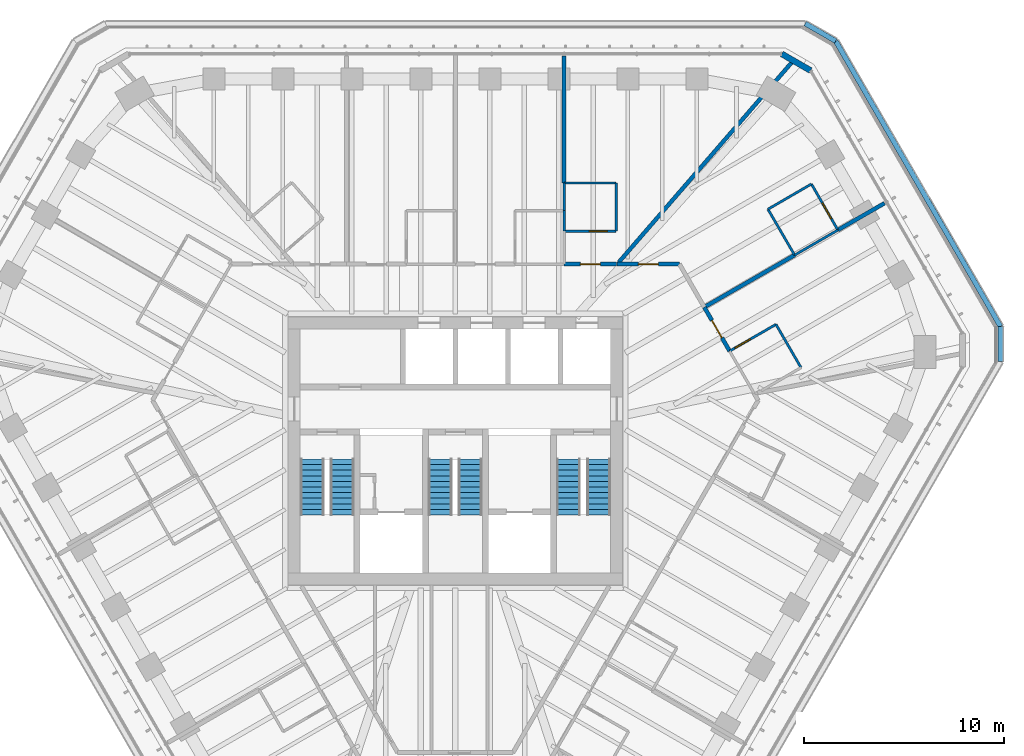
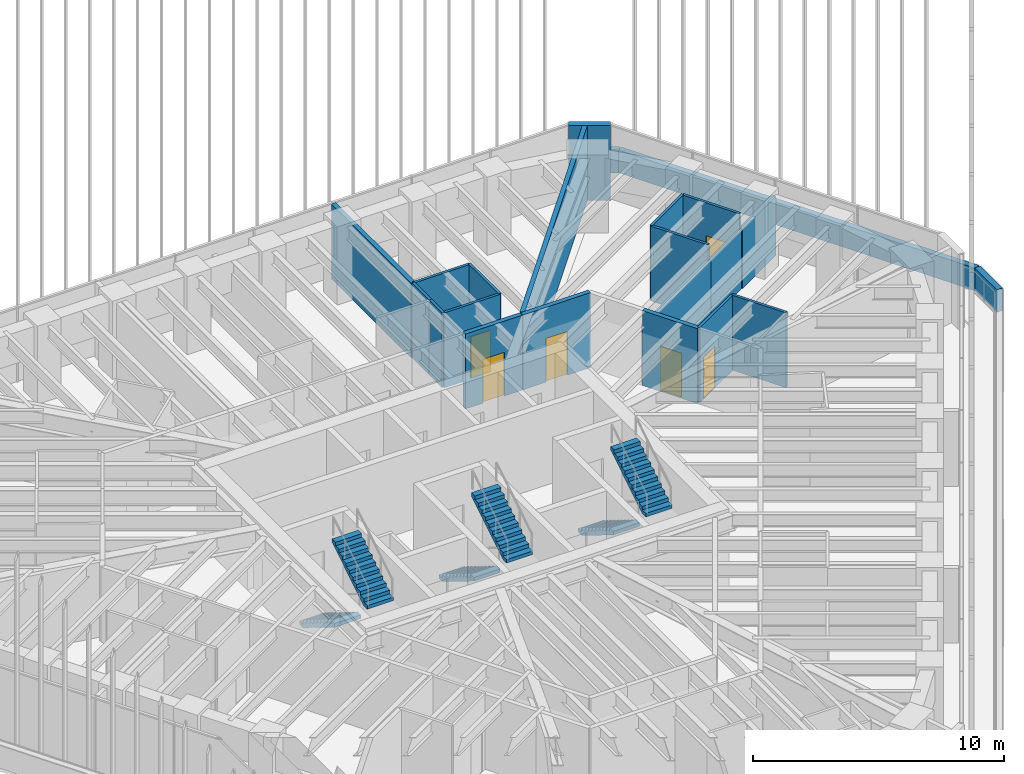
# One storey, part 124 of 127: 22 walls, 6 doors, 6 stair flights, 6 openings, 3 elements without a shape of their own.
"""IFC4 building model written with IfcOpenShell, lengths in metres."""

import ifcopenshell
import ifcopenshell.guid

model = None  # the IFC model being written
_history = None  # IfcOwnerHistory: only IFC2X3 demands one
_inside = {}  # id of a spatial element -> (the spatial element, [elements in it])
_under = {}  # id of a project, library or spatial element -> (it, [spatial elements below it])
_declared = {}  # id of a project -> (the project, [libraries it declares])
_typed = {}  # id of a type object -> (the type object, [elements of that type])
_made_of = {}  # id of a material, layer set ... -> (it, [elements and type objects made of it])


def new_model(schema):
    """Start an empty IFC model of exactly this schema.

    Asked for "IFC4X3", IfcOpenShell would pick the latest addendum, in which some entities
    have other attributes; the version numbers below select the first issue.
    IFC2X3 requires an IfcOwnerHistory on every rooted entity: one is made here for all.
    """
    global model, _history
    if schema == "IFC4X3":
        model = ifcopenshell.file(schema_version=(4, 3, 0, 0))
    else:
        model = ifcopenshell.file(schema=schema)
    _inside.clear()
    _under.clear()
    _declared.clear()
    _typed.clear()
    _made_of.clear()
    _history = None
    if model.schema == "IFC2X3":
        org = make("IfcOrganization", Name="unknown")
        user = make(
            "IfcPersonAndOrganization",
            ThePerson=make("IfcPerson", FamilyName="unknown"),
            TheOrganization=org,
        )
        app = make(
            "IfcApplication",
            ApplicationDeveloper=org,
            Version="unknown",
            ApplicationFullName="unknown",
            ApplicationIdentifier="unknown",
        )
        _history = make(
            "IfcOwnerHistory",
            OwningUser=user,
            OwningApplication=app,
            ChangeAction="ADDED",
            CreationDate=0,
        )
    return model


def make(cls, **values):
    """One entity of the class cls with the attributes given. An attribute that is None is left unset."""
    return model.create_entity(
        cls, **{name: value for name, value in values.items() if value is not None}
    )


def rooted(cls, **values):
    """An entity with a GlobalId (a new one), such as an element, a storey or a relation."""
    return make(cls, GlobalId=ifcopenshell.guid.new(), OwnerHistory=_history, **values)


def si_unit(unit_type, name, prefix=None):
    """IfcSIUnit, for example si_unit("LENGTHUNIT", "METRE", prefix="MILLI")."""
    return make("IfcSIUnit", UnitType=unit_type, Prefix=prefix, Name=name)


def assignment(units):
    """IfcUnitAssignment: the units of a project."""
    return None if units is None else make("IfcUnitAssignment", Units=units)


def point(xyz):
    """IfcCartesianPoint."""
    return None if xyz is None else make("IfcCartesianPoint", Coordinates=xyz)


def direction(xyz):
    """IfcDirection."""
    return None if xyz is None else make("IfcDirection", DirectionRatios=xyz)


def frame(location, z_axis=None, x_axis=None):
    """IfcAxis2Placement3D, a coordinate frame: its origin and axes. An axis left out is left unset."""
    return make(
        "IfcAxis2Placement3D",
        Location=point(location),
        Axis=direction(z_axis),
        RefDirection=direction(x_axis),
    )


def frame_2d(location, x_axis=None):
    """IfcAxis2Placement2D, a coordinate frame in the plane: its origin and x axis."""
    return make(
        "IfcAxis2Placement2D", Location=point(location), RefDirection=direction(x_axis)
    )


def origin():
    """The frame at (0, 0, 0) with its axes left unset."""
    return frame((0.0, 0.0, 0.0))


def place(relative_to, where):
    """IfcLocalPlacement: puts the frame where relative to a parent placement (None: the world)."""
    return make(
        "IfcLocalPlacement", PlacementRelTo=relative_to, RelativePlacement=where
    )


def context(
    kind, dimensions, precision=None, world=None, true_north=None, identifier=None
):
    """IfcGeometricRepresentationContext, for example the 3D "Model" context."""
    return make(
        "IfcGeometricRepresentationContext",
        ContextIdentifier=identifier,
        ContextType=kind,
        CoordinateSpaceDimension=dimensions,
        Precision=precision,
        WorldCoordinateSystem=world,
        TrueNorth=true_north,
    )


def subcontext(parent, identifier, kind, view, scale=None):
    """IfcGeometricRepresentationSubContext, for example "Body" below "Model"."""
    return make(
        "IfcGeometricRepresentationSubContext",
        ContextIdentifier=identifier,
        ContextType=kind,
        ParentContext=parent,
        TargetScale=scale,
        TargetView=view,
    )


def project(units=None, contexts=None):
    """IfcProject with its units and contexts."""
    return rooted(
        "IfcProject",
        Name="project",
        RepresentationContexts=contexts,
        UnitsInContext=assignment(units),
    )


def spatial(cls, under=None, at=None, **own):
    """A site, building, storey or space (cls), placed at a placement, below another one or the project."""
    s = rooted(cls, ObjectPlacement=at, **own)
    if under is not None:
        _under.setdefault(under.id(), (under, []))[1].append(s)
    return s


def polyline(points):
    """IfcPolyline through the points."""
    return make("IfcPolyline", Points=[point(p) for p in points])


def profile(cls, at=None, kind="AREA", **sizes):
    """A parametric profile (cls). Its sizes go by their IFC names, for example OverallWidth=200.0."""
    return make(cls, ProfileType=kind, Position=at, **sizes)


def rectangle(**sizes):
    """IfcRectangleProfileDef."""
    return profile("IfcRectangleProfileDef", **sizes)


def outline(outer, holes=None, kind="AREA"):
    """IfcArbitraryClosedProfileDef: a profile drawn as a closed curve; with holes, ...WithVoids."""
    if holes is None:
        return make("IfcArbitraryClosedProfileDef", ProfileType=kind, OuterCurve=outer)
    return make(
        "IfcArbitraryProfileDefWithVoids",
        ProfileType=kind,
        OuterCurve=outer,
        InnerCurves=holes,
    )


def extrude(swept, where, along, depth):
    """IfcExtrudedAreaSolid: the profile swept, set in the frame where, extruded along a direction by depth."""
    return make(
        "IfcExtrudedAreaSolid",
        SweptArea=swept,
        Position=where,
        ExtrudedDirection=direction(along),
        Depth=depth,
    )


def shape(context_of_items, identifier, shape_type, items):
    """IfcShapeRepresentation: the items that make up one representation, for example the "Body"."""
    return make(
        "IfcShapeRepresentation",
        ContextOfItems=context_of_items,
        RepresentationIdentifier=identifier,
        RepresentationType=shape_type,
        Items=items,
    )


def material(Name=None, Category=None):
    """IfcMaterial."""
    return make("IfcMaterial", Name=Name, Category=Category)


def layer(
    of_material, thickness, ventilated=None, Name=None, Category=None, Priority=None
):
    """IfcMaterialLayer: one layer of a wall or slab, of a material (None: an air gap)."""
    return make(
        "IfcMaterialLayer",
        Material=of_material,
        LayerThickness=thickness,
        IsVentilated=ventilated,
        Name=Name,
        Category=Category,
        Priority=Priority,
    )


def layer_set(layers, Name=None):
    """IfcMaterialLayerSet."""
    return make("IfcMaterialLayerSet", MaterialLayers=layers, LayerSetName=Name)


def made_of(thing, what):
    """Note that an element or type object is made of a material, layer set ...; save() writes the relation."""
    if what is not None:
        _made_of.setdefault(what.id(), (what, []))[1].append(thing)
    return thing


def type_object(cls, material=None, **own):
    """A type object (cls), such as IfcWallType, which elements share."""
    return made_of(rooted(cls, **own), material)


def element(
    cls,
    number,
    at=None,
    inside=None,
    cuts=None,
    type_object=None,
    material=None,
    context=None,
    identifier="Body",
    shape_type=None,
    held_by="IfcProductDefinitionShape",
    body=None,
    shapes=None,
    **own,
):
    """One element of the class cls, such as IfcWall. Its Tag is "e" and its number.

    at: its placement. inside: the storey or other place that contains it. cuts: it is an
    opening in that element (IfcRelVoidsElement). A single representation is given by context,
    identifier, shape_type and body (its items); several are given by shapes. held_by: the class
    of the entity that holds the representations. save() writes the other relations.
    """
    e = rooted(cls, Tag="e%d" % number, ObjectPlacement=at, **own)
    if body is not None:
        shapes = [shape(context, identifier, shape_type, body)]
    if shapes is not None:
        e.Representation = make(held_by, Representations=shapes)
    if inside is not None:
        _inside.setdefault(inside.id(), (inside, []))[1].append(e)
    if cuts is not None:
        rooted(
            "IfcRelVoidsElement", RelatingBuildingElement=cuts, RelatedOpeningElement=e
        )
    if type_object is not None:
        _typed.setdefault(type_object.id(), (type_object, []))[1].append(e)
    return made_of(e, material)


def fill(opening, filler):
    """IfcRelFillsElement: the door or window that sits in an opening."""
    return rooted(
        "IfcRelFillsElement",
        RelatingOpeningElement=opening,
        RelatedBuildingElement=filler,
    )


def aggregate(whole, parts):
    """IfcRelAggregates: a whole, such as a stair, and the parts it consists of."""
    return rooted("IfcRelAggregates", RelatingObject=whole, RelatedObjects=parts)


def save(model, path):
    """Write the relations noted so far, then the file.

    IfcRelAggregates (storeys below a building ...), IfcRelContainedInSpatialStructure (elements
    in a storey), IfcRelDefinesByType, IfcRelAssociatesMaterial and IfcRelDeclares: one each for
    every whole, place, type object, material and project.
    """
    for whole, parts in _under.values():
        aggregate(whole, parts)
    for where, things in _inside.values():
        rooted(
            "IfcRelContainedInSpatialStructure",
            RelatedElements=things,
            RelatingStructure=where,
        )
    for kind, things in _typed.values():
        rooted("IfcRelDefinesByType", RelatedObjects=things, RelatingType=kind)
    for what, things in _made_of.values():
        rooted("IfcRelAssociatesMaterial", RelatedObjects=things, RelatingMaterial=what)
    for by, libraries in _declared.values():
        rooted("IfcRelDeclares", RelatingContext=by, RelatedDefinitions=libraries)
    model.write(path)


model = new_model("IFC4")

# Units and contexts
model_context = context("Model", 3, precision=1e-05, world=origin(), true_north=direction((0.0, 1.0)))
body_context = subcontext(model_context, "Body", "Model", "MODEL_VIEW")
ifc_project = project(units=[si_unit("LENGTHUNIT", "METRE"), si_unit("AREAUNIT", "SQUARE_METRE"), si_unit("VOLUMEUNIT", "CUBIC_METRE"), si_unit("PLANEANGLEUNIT", "RADIAN"), si_unit("MASSUNIT", "GRAM", prefix="KILO")], contexts=[model_context])

# Site, building, storey
site_placement = place(None, origin())
site = spatial("IfcSite", under=ifc_project, at=site_placement, CompositionType="ELEMENT")
building_placement = place(site_placement, origin())
building = spatial("IfcBuilding", under=site, at=building_placement, Name="Sandreach Pilgrim Tower", CompositionType="ELEMENT")
storey_placement = place(building_placement, frame((0.0, 0.0, 257.0)))
storey = spatial("IfcBuildingStorey", under=building, at=storey_placement, Name="L64", CompositionType="ELEMENT", Elevation=257.0)

# Wall, opening, door
ifc_material_1 = material(Name="Moisture-resistant gypsum board on steel studs", Category="steel")
ifc_layer_1 = layer(ifc_material_1, 0.1201171875)
ifc_layer_set_1 = layer_set([ifc_layer_1], Name="Bathroom partition 120")
wall_type_1 = type_object("IfcWallType", Name="Bathroom partition 120", PredefinedType="PARTITIONING", material=ifc_layer_set_1)
wall_1_placement = place(storey_placement, frame((5.429931640625, 10.97998046875, 0.0), z_axis=(0.0, 0.0, 1.0), x_axis=(1.0, 0.0, 0.0)))
wall_1 = element("IfcWall", 1, at=wall_1_placement, inside=storey, type_object=wall_type_1, Name="Bathroom partition L64-075", PredefinedType="PARTITIONING", context=body_context, shape_type="SweptSolid", body=[
    extrude(rectangle(XDim=2.60009765625, YDim=0.1201171875, at=frame_2d((1.300048828125, 0.0))), origin(), (0.0, 0.0, 1.0), 3.639892578125),
])
opening_1_placement = place(wall_1_placement, frame((1.25, 0.0, 0.0)))
opening_1 = element("IfcOpeningElement", 2, at=opening_1_placement, cuts=wall_1, Name="Opening D09-04B", PredefinedType="OPENING", context=body_context, shape_type="SweptSolid", body=[
    extrude(rectangle(XDim=0.89990234375, YDim=2.030029296875, at=frame_2d((0.449951171875, 1.01513671875))), frame((0.0, 0.06005859375, 0.0), z_axis=(0.0, -1.0, 0.0), x_axis=(1.0, 0.0, 0.0)), (0.0, 0.0, 1.0), 0.1201171875),
])
ifc_material_2 = material(Name="Timber door, steel frame", Category="steel")
door_type_1 = type_object("IfcDoorType", Name="Bathroom door", OperationType="SINGLE_SWING_LEFT", PredefinedType="DOOR", material=ifc_material_2)
door_1_placement = place(opening_1_placement, origin())
door_1 = element("IfcDoor", 3, at=door_1_placement, inside=storey, type_object=door_type_1, Name="Door 6404B", OperationType="SINGLE_SWING_RIGHT", OverallHeight=2.030029296875, OverallWidth=0.89990234375, PredefinedType="DOOR", context=body_context, shape_type="SweptSolid", body=[
    extrude(rectangle(XDim=0.89990234375, YDim=2.030029296875, at=frame_2d((0.449951171875, 1.01513671875))), frame((0.0, 0.02490234375, 0.0), z_axis=(0.0, -1.0, 0.0), x_axis=(1.0, 0.0, 0.0)), (0.0, 0.0, 1.0), 0.050048828125),
])
fill(opening_1, door_1)

# Walls
wall_2_placement = place(storey_placement, frame((5.429931640625, 12.0, 0.0), z_axis=(0.0, 0.0, 1.0), x_axis=(0.0, -1.0, 0.0)))
element("IfcWall", 4, at=wall_2_placement, inside=storey, type_object=wall_type_1, Name="Bathroom partition L64-077", PredefinedType="PARTITIONING", context=body_context, shape_type="SweptSolid", body=[
    extrude(rectangle(XDim=1.02001953125, YDim=0.1201171875, at=frame_2d((0.510009765625, 0.0))), origin(), (0.0, 0.0, 1.0), 3.639892578125),
])
wall_3_placement = place(storey_placement, frame((5.429931640625, 13.3798828125, 0.0), z_axis=(0.0, 0.0, 1.0), x_axis=(0.0, -1.0, 0.0)))
element("IfcWall", 5, at=wall_3_placement, inside=storey, type_object=wall_type_1, Name="Bathroom partition L64-078", PredefinedType="PARTITIONING", context=body_context, shape_type="SweptSolid", body=[
    extrude(rectangle(XDim=1.3798828125, YDim=0.1201171875, at=frame_2d((0.68994140625, 0.0))), origin(), (0.0, 0.0, 1.0), 3.639892578125),
])
wall_4_placement = place(storey_placement, frame((8.030029296875, 10.97998046875, 0.0), z_axis=(0.0, 0.0, 1.0), x_axis=(0.0, 1.0, 0.0)))
element("IfcWall", 6, at=wall_4_placement, inside=storey, type_object=wall_type_1, Name="Bathroom partition L64-087", PredefinedType="PARTITIONING", context=body_context, shape_type="SweptSolid", body=[
    extrude(rectangle(XDim=2.39990234375, YDim=0.1201171875, at=frame_2d((1.199951171875, 0.0))), origin(), (0.0, 0.0, 1.0), 3.639892578125),
])
wall_5_placement = place(storey_placement, frame((8.030029296875, 13.3798828125, 0.0), z_axis=(0.0, 0.0, 1.0), x_axis=(-1.0, 0.0, 0.0)))
element("IfcWall", 7, at=wall_5_placement, inside=storey, type_object=wall_type_1, Name="Bathroom partition L64-088", PredefinedType="PARTITIONING", context=body_context, shape_type="SweptSolid", body=[
    extrude(rectangle(XDim=2.60009765625, YDim=0.1201171875, at=frame_2d((1.300048828125, 0.0))), origin(), (0.0, 0.0, 1.0), 3.639892578125),
])
wall_6_placement = place(storey_placement, frame((15.610107421875, 12.070068359375, 0.0), z_axis=(0.0, 0.0, 1.0), x_axis=(0.502173326652, -0.864766991738, 0.0)))
element("IfcWall", 8, at=wall_6_placement, inside=storey, type_object=wall_type_1, Name="Bathroom partition L64-110", PredefinedType="PARTITIONING", context=body_context, shape_type="SweptSolid", body=[
    extrude(rectangle(XDim=2.648193359375, YDim=0.1201171875, at=frame_2d((1.32421875, 0.0))), origin(), (0.0, 0.0, 1.0), 3.639892578125),
])

# Wall, opening, door
wall_7_placement = place(storey_placement, frame((16.010009765625, 6.320068359375, 0.0), z_axis=(0.0, 0.0, 1.0), x_axis=(-0.866615255992, -0.498976951453, 0.0)))
wall_7 = element("IfcWall", 9, at=wall_7_placement, inside=storey, type_object=wall_type_1, Name="Bathroom partition L64-111", PredefinedType="PARTITIONING", context=body_context, shape_type="SweptSolid", body=[
    extrude(rectangle(XDim=2.66552734375, YDim=0.1201171875, at=frame_2d((1.332763671875, 0.0))), origin(), (0.0, 0.0, 1.0), 3.639892578125),
])
opening_2_placement = place(wall_7_placement, frame((1.465576171875, 0.0, 0.0)))
opening_2 = element("IfcOpeningElement", 10, at=opening_2_placement, cuts=wall_7, Name="Opening D09-06B", PredefinedType="OPENING", context=body_context, shape_type="SweptSolid", body=[
    extrude(rectangle(XDim=0.89990234375, YDim=2.030029296875, at=frame_2d((0.449951171875, 1.01513671875))), frame((0.0, 0.06005859375, 0.0), z_axis=(0.0, -1.0, 0.0), x_axis=(1.0, 0.0, 0.0)), (0.0, 0.0, 1.0), 0.1201171875),
])
door_2_placement = place(opening_2_placement, origin())
door_2 = element("IfcDoor", 11, at=door_2_placement, inside=storey, type_object=door_type_1, Name="Door 6406B", OperationType="SINGLE_SWING_RIGHT", OverallHeight=2.030029296875, OverallWidth=0.89990234375, PredefinedType="DOOR", context=body_context, shape_type="SweptSolid", body=[
    extrude(rectangle(XDim=0.89990234375, YDim=2.030029296875, at=frame_2d((0.449951171875, 1.01513671875))), frame((0.0, 0.02490234375, 0.0), z_axis=(0.0, -1.0, 0.0), x_axis=(1.0, 0.0, 0.0)), (0.0, 0.0, 1.0), 0.050048828125),
])
fill(opening_2, door_2)

# Walls
wall_8_placement = place(storey_placement, frame((16.93994140625, 9.780029296875, 0.0), z_axis=(0.0, 0.0, 1.0), x_axis=(0.865533423938, 0.500851167559, 0.0)))
element("IfcWall", 12, at=wall_8_placement, inside=storey, type_object=wall_type_1, Name="Bathroom partition L64-114", PredefinedType="PARTITIONING", context=body_context, shape_type="SweptSolid", body=[
    extrude(rectangle(XDim=2.495849609375, YDim=0.1201171875, at=frame_2d((1.248046875, 0.0))), origin(), (0.0, 0.0, 1.0), 2.8779296875),
])
wall_9_placement = place(storey_placement, frame((17.260009765625, 4.159912109375, 0.0), z_axis=(0.0, 0.0, 1.0), x_axis=(-0.500851167559, 0.865533423938, 0.0)))
element("IfcWall", 13, at=wall_9_placement, inside=storey, type_object=wall_type_1, Name="Bathroom partition L64-115", PredefinedType="PARTITIONING", context=body_context, shape_type="SweptSolid", body=[
    extrude(rectangle(XDim=2.495849609375, YDim=0.1201171875, at=frame_2d((1.248046875, 0.0))), origin(), (0.0, 0.0, 1.0), 3.639892578125),
])
wall_10_placement = place(storey_placement, frame((17.780029296875, 13.330078125, 0.0), z_axis=(0.0, 0.0, 1.0), x_axis=(-0.864803937094, -0.502109699555, 0.0)))
element("IfcWall", 14, at=wall_10_placement, inside=storey, type_object=wall_type_1, Name="Bathroom partition L64-116", PredefinedType="PARTITIONING", context=body_context, shape_type="SweptSolid", body=[
    extrude(rectangle(XDim=2.509521484375, YDim=0.1201171875, at=frame_2d((1.2548828125, 0.0))), origin(), (0.0, 0.0, 1.0), 3.639892578125),
])

# Wall, opening, door
wall_11_placement = place(storey_placement, frame((19.10009765625, 11.030029296875, 0.0), z_axis=(0.0, 0.0, 1.0), x_axis=(-0.497773911185, 0.867306827682, 0.0)))
wall_11 = element("IfcWall", 15, at=wall_11_placement, inside=storey, type_object=wall_type_1, Name="Bathroom partition L64-118", PredefinedType="PARTITIONING", context=body_context, shape_type="SweptSolid", body=[
    extrude(rectangle(XDim=2.65185546875, YDim=0.1201171875, at=frame_2d((1.325927734375, 0.0))), origin(), (0.0, 0.0, 1.0), 3.639892578125),
])
opening_3_placement = place(wall_11_placement, frame((0.64990234375, 0.0, 0.0)))
opening_3 = element("IfcOpeningElement", 16, at=opening_3_placement, cuts=wall_11, Name="Opening D09-05B", PredefinedType="OPENING", context=body_context, shape_type="SweptSolid", body=[
    extrude(rectangle(XDim=0.89990234375, YDim=2.030029296875, at=frame_2d((0.449951171875, 1.01513671875))), frame((0.0, 0.06005859375, 0.0), z_axis=(0.0, -1.0, 0.0), x_axis=(1.0, 0.0, 0.0)), (0.0, 0.0, 1.0), 0.1201171875),
])
door_3_placement = place(opening_3_placement, origin())
door_3 = element("IfcDoor", 17, at=door_3_placement, inside=storey, type_object=door_type_1, Name="Door 6405B", OperationType="SINGLE_SWING_LEFT", OverallHeight=2.030029296875, OverallWidth=0.89990234375, PredefinedType="DOOR", context=body_context, shape_type="SweptSolid", body=[
    extrude(rectangle(XDim=0.89990234375, YDim=2.030029296875, at=frame_2d((0.449951171875, 1.01513671875))), frame((0.0, 0.02490234375, 0.0), z_axis=(0.0, -1.0, 0.0), x_axis=(1.0, 0.0, 0.0)), (0.0, 0.0, 1.0), 0.050048828125),
])
fill(opening_3, door_3)

ifc_material_3 = material(Name="Gypsum board on steel studs, two layers each side", Category="steel")
ifc_layer_2 = layer(ifc_material_3, 0.199951171875)
ifc_layer_set_2 = layer_set([ifc_layer_2], Name="Corridor wall 200")
wall_type_2 = type_object("IfcWallType", Name="Corridor wall 200", PredefinedType="PARTITIONING", material=ifc_layer_set_2)
wall_12_placement = place(storey_placement, frame((8.050048828125, 9.330078125, 0.0), z_axis=(0.0, 0.0, 1.0), x_axis=(-1.0, 0.0, 0.0)))
wall_12 = element("IfcWall", 18, at=wall_12_placement, inside=storey, type_object=wall_type_2, Name="Corridor wall L64-089", PredefinedType="PARTITIONING", context=body_context, shape_type="SweptSolid", body=[
    extrude(rectangle(XDim=2.6201171875, YDim=0.199951171875, at=frame_2d((1.31005859375, 0.0))), origin(), (0.0, 0.0, 1.0), 3.639892578125),
])
opening_4_placement = place(wall_12_placement, frame((0.81005859375, 0.0, 0.0)))
opening_4 = element("IfcOpeningElement", 19, at=opening_4_placement, cuts=wall_12, Name="Opening D10-04", PredefinedType="OPENING", context=body_context, shape_type="SweptSolid", body=[
    extrude(rectangle(XDim=1.0, YDim=2.1298828125, at=frame_2d((0.5, 1.06494140625))), frame((0.0, 0.10009765625, 0.0), z_axis=(0.0, -1.0, 0.0), x_axis=(1.0, 0.0, 0.0)), (0.0, 0.0, 1.0), 0.199951171875),
])
ifc_material_4 = material(Name="Steel door and frame", Category="steel")
door_type_2 = type_object("IfcDoorType", Name="Guest room entry door", OperationType="SINGLE_SWING_LEFT", PredefinedType="DOOR", material=ifc_material_4)
door_4_placement = place(opening_4_placement, origin())
door_4 = element("IfcDoor", 20, at=door_4_placement, inside=storey, type_object=door_type_2, Name="Door 6404", OperationType="SINGLE_SWING_LEFT", OverallHeight=2.1298828125, OverallWidth=1.0, PredefinedType="DOOR", context=body_context, shape_type="SweptSolid", body=[
    extrude(rectangle(XDim=1.0, YDim=2.1298828125, at=frame_2d((0.5, 1.06494140625))), frame((0.0, 0.02490234375, 0.0), z_axis=(0.0, -1.0, 0.0), x_axis=(1.0, 0.0, 0.0)), (0.0, 0.0, 1.0), 0.050048828125),
])
fill(opening_4, door_4)

wall_13_placement = place(storey_placement, frame((11.18994140625, 9.330078125, 0.0), z_axis=(0.0, 0.0, 1.0), x_axis=(-1.0, 0.0, 0.0)))
wall_13 = element("IfcWall", 21, at=wall_13_placement, inside=storey, type_object=wall_type_2, Name="Corridor wall L64-095", PredefinedType="PARTITIONING", context=body_context, shape_type="SweptSolid", body=[
    extrude(rectangle(XDim=3.10986328125, YDim=0.199951171875, at=frame_2d((1.554931640625, 0.0))), origin(), (0.0, 0.0, 1.0), 3.639892578125),
])
opening_5_placement = place(wall_13_placement, frame((1.054931640625, 0.0, 0.0)))
opening_5 = element("IfcOpeningElement", 22, at=opening_5_placement, cuts=wall_13, Name="Opening D10-05", PredefinedType="OPENING", context=body_context, shape_type="SweptSolid", body=[
    extrude(rectangle(XDim=1.0, YDim=2.1298828125, at=frame_2d((0.5, 1.06494140625))), frame((0.0, 0.10009765625, 0.0), z_axis=(0.0, -1.0, 0.0), x_axis=(1.0, 0.0, 0.0)), (0.0, 0.0, 1.0), 0.199951171875),
])
door_5_placement = place(opening_5_placement, origin())
door_5 = element("IfcDoor", 23, at=door_5_placement, inside=storey, type_object=door_type_2, Name="Door 6405", OperationType="SINGLE_SWING_LEFT", OverallHeight=2.1298828125, OverallWidth=1.0, PredefinedType="DOOR", context=body_context, shape_type="SweptSolid", body=[
    extrude(rectangle(XDim=1.0, YDim=2.1298828125, at=frame_2d((0.5, 1.06494140625))), frame((0.0, 0.02490234375, 0.0), z_axis=(0.0, -1.0, 0.0), x_axis=(1.0, 0.0, 0.0)), (0.0, 0.0, 1.0), 0.050048828125),
])
fill(opening_5, door_5)

wall_14_placement = place(storey_placement, frame((12.429931640625, 7.179931640625, 0.0), z_axis=(0.0, 0.0, 1.0), x_axis=(0.500329012441, -0.865835365015, 0.0)))
wall_14 = element("IfcWall", 24, at=wall_14_placement, inside=storey, type_object=wall_type_2, Name="Corridor wall L64-097", PredefinedType="PARTITIONING", context=body_context, shape_type="SweptSolid", body=[
    extrude(rectangle(XDim=2.531494140625, YDim=0.199951171875, at=frame_2d((1.265625, 0.0))), origin(), (0.0, 0.0, 1.0), 3.639892578125),
])
opening_6_placement = place(wall_14_placement, frame((0.765869140625, 0.0, 0.0)))
opening_6 = element("IfcOpeningElement", 25, at=opening_6_placement, cuts=wall_14, Name="Opening D10-06", PredefinedType="OPENING", context=body_context, shape_type="SweptSolid", body=[
    extrude(rectangle(XDim=1.0, YDim=2.1298828125, at=frame_2d((0.5, 1.06494140625))), frame((0.0, 0.10009765625, 0.0), z_axis=(0.0, -1.0, 0.0), x_axis=(1.0, 0.0, 0.0)), (0.0, 0.0, 1.0), 0.199951171875),
])
door_6_placement = place(opening_6_placement, origin())
door_6 = element("IfcDoor", 26, at=door_6_placement, inside=storey, type_object=door_type_2, Name="Door 6406", OperationType="SINGLE_SWING_LEFT", OverallHeight=2.1298828125, OverallWidth=1.0, PredefinedType="DOOR", context=body_context, shape_type="SweptSolid", body=[
    extrude(rectangle(XDim=1.0, YDim=2.1298828125, at=frame_2d((0.5, 1.06494140625))), frame((0.0, 0.02490234375, 0.0), z_axis=(0.0, -1.0, 0.0), x_axis=(1.0, 0.0, 0.0)), (0.0, 0.0, 1.0), 0.050048828125),
])
fill(opening_6, door_6)

# Walls
ifc_material_5 = material(Name="Double steel stud acoustic wall, gypsum board", Category="steel")
ifc_layer_3 = layer(ifc_material_5, 0.199951171875)
ifc_layer_set_3 = layer_set([ifc_layer_3], Name="Party wall 200")
wall_type_3 = type_object("IfcWallType", Name="Party wall 200", PredefinedType="PARTITIONING", material=ifc_layer_set_3)
wall_15_placement = place(storey_placement, frame((5.429931640625, 19.7099609375, 0.0), z_axis=(0.0, 0.0, 1.0), x_axis=(0.0, -1.0, 0.0)))
element("IfcWall", 27, at=wall_15_placement, inside=storey, type_object=wall_type_3, Name="Party wall L64-079", PredefinedType="PARTITIONING", context=body_context, shape_type="SweptSolid", body=[
    extrude(rectangle(XDim=6.330078125, YDim=0.199951171875, at=frame_2d((3.1650390625, 0.0))), origin(), (0.0, 0.0, 1.0), 3.639892578125),
])
wall_16_placement = place(storey_placement, frame((12.443115234375, 7.1875, 0.0), z_axis=(0.0, 0.0, 1.0), x_axis=(0.866335108717, 0.499463191241, 0.0)))
element("IfcWall", 28, at=wall_16_placement, inside=storey, type_object=wall_type_3, Name="Party wall L64-098", PredefinedType="PARTITIONING", context=body_context, shape_type="SweptSolid", body=[
    extrude(rectangle(XDim=5.190673828125, YDim=0.199951171875, at=frame_2d((2.59521484375, 0.0))), origin(), (0.0, 0.0, 1.0), 2.8779296875),
])
wall_17_placement = place(storey_placement, frame((16.890380859375, 19.50732421875, 0.0), z_axis=(0.0, 0.0, 1.0), x_axis=(-0.654509091565, -0.756054131037, 0.0)))
element("IfcWall", 29, at=wall_17_placement, inside=storey, type_object=wall_type_3, Name="Party wall L64-113", PredefinedType="PARTITIONING", context=body_context, shape_type="SweptSolid", body=[
    extrude(rectangle(XDim=13.345947265625, YDim=0.199951171875, at=frame_2d((6.6728515625, 0.0))), origin(), (0.0, 0.0, 1.0), 3.639892578125),
])
wall_18_placement = place(storey_placement, frame((19.099365234375, 11.03125, 0.0), z_axis=(0.0, 0.0, 1.0), x_axis=(0.866739223556, 0.498761584678, 0.0)))
element("IfcWall", 30, at=wall_18_placement, inside=storey, type_object=wall_type_3, Name="Party wall L64-117", PredefinedType="PARTITIONING", context=body_context, shape_type="SweptSolid", body=[
    extrude(rectangle(XDim=2.684326171875, YDim=0.199951171875, at=frame_2d((1.34228515625, 0.0))), origin(), (0.0, 0.0, 1.0), 2.8779296875),
])
ifc_material_6 = material(Name="Concrete parapet with terracotta coping", Category="masonry")
ifc_layer_4 = layer(ifc_material_6, 0.25)
ifc_layer_set_4 = layer_set([ifc_layer_4], Name="Setback parapet")
wall_type_4 = type_object("IfcWallType", Name="Setback parapet", PredefinedType="PARAPET", material=ifc_layer_set_4)
wall_19_placement = place(storey_placement, frame((27.218505859375, 4.455810546875, 0.0), z_axis=(0.0, 0.0, 1.0), x_axis=(0.000970604091, 0.999999528964, 0.0)))
element("IfcWall", 31, at=wall_19_placement, inside=storey, type_object=wall_type_4, Name="Setback parapet L64 9", PredefinedType="PARAPET", context=body_context, shape_type="SweptSolid", body=[
    extrude(rectangle(XDim=1.7607421875, YDim=0.25, at=frame_2d((0.88037109375, 0.0))), origin(), (0.0, 0.0, 1.0), 1.10009765625),
])
wall_20_placement = place(storey_placement, frame((27.22021484375, 6.216552734375, 0.0), z_axis=(0.0, 0.0, 1.0), x_axis=(-0.49999647861, 0.86602743685, 0.0)))
element("IfcWall", 32, at=wall_20_placement, inside=storey, type_object=wall_type_4, Name="Setback parapet L64 10", PredefinedType="PARAPET", context=body_context, shape_type="SweptSolid", body=[
    extrude(rectangle(XDim=16.45263671875, YDim=0.25, at=frame_2d((8.226318359375, 0.0))), origin(), (0.0, 0.0, 1.0), 1.10009765625),
])
wall_21_placement = place(storey_placement, frame((18.993896484375, 20.465087890625, 0.0), z_axis=(0.0, 0.0, 1.0), x_axis=(-0.866531606097, 0.499122205112, 0.0)))
element("IfcWall", 33, at=wall_21_placement, inside=storey, type_object=wall_type_4, Name="Setback parapet L64 11", PredefinedType="PARAPET", context=body_context, shape_type="SweptSolid", body=[
    extrude(rectangle(XDim=1.760986328125, YDim=0.25, at=frame_2d((0.88037109375, 0.0))), origin(), (0.0, 0.0, 1.0), 1.10009765625),
])
ifc_material_7 = material(Name="Terracotta rainscreen on concrete", Category="masonry")
ifc_layer_5 = layer(ifc_material_7, 0.300048828125)
ifc_layer_set_5 = layer_set([ifc_layer_5], Name="Terracotta chamfer pier")
wall_type_5 = type_object("IfcWallType", Name="Terracotta chamfer pier", PredefinedType="SOLIDWALL", material=ifc_layer_set_5)
wall_22_placement = place(storey_placement, frame((16.29833984375, 19.826416015625, 0.0), z_axis=(0.0, 0.0, 1.0), x_axis=(0.866026405774, -0.499998264499, 0.0)))
element("IfcWall", 34, at=wall_22_placement, inside=storey, type_object=wall_type_5, Name="Chamfer pier L64 N", PredefinedType="SOLIDWALL", context=body_context, shape_type="SweptSolid", body=[
    extrude(rectangle(XDim=1.66015625, YDim=0.300048828125, at=frame_2d((0.830078125, 0.0))), origin(), (0.0, 0.0, 1.0), 3.639892578125),
])

# Stair, stair flights
ifc_material_8 = material(Name="Concrete 8000 psi", Category="concrete")
stair_type = type_object("IfcStairType", Name="Core exit stair", PredefinedType="HALF_TURN_STAIR", material=ifc_material_8)
stair_1_placement = place(storey_placement, origin())
stair_1 = element("IfcStair", 35, at=stair_1_placement, inside=storey, type_object=stair_type, Name="Exit stair ST1 L64", PredefinedType="HALF_TURN_STAIR")
ifc_material_9 = material(Name="Concrete 8000 psi", Category="concrete")
stair_flight_type = type_object("IfcStairFlightType", Name="Core stair flight 1200", PredefinedType="STRAIGHT", material=ifc_material_9)
stair_flight_1_placement = place(storey_placement, frame((-7.14990234375, -0.39990234375, 0.0), z_axis=(0.0, 0.0, 1.0), x_axis=(0.0, -1.0, 0.0)))
stair_flight_1 = element("IfcStairFlight", 36, at=stair_flight_1_placement, type_object=stair_flight_type, Name="ST1 flight 1", NumberOfRisers=11, NumberOfTreads=10, PredefinedType="STRAIGHT", RiserHeight=0.172727273, TreadLength=0.28, context=body_context, shape_type="SweptSolid", body=[
    extrude(outline(polyline([(0.0, 0.0), (0.0, 0.172607421875), (0.280029296875, 0.172607421875), (0.280029296875, 0.345458984375), (0.56005859375, 0.345458984375), (0.56005859375, 0.51806640625), (0.840087890625, 0.51806640625), (0.840087890625, 0.69091796875), (1.1201171875, 0.69091796875), (1.1201171875, 0.863525390625), (1.39990234375, 0.863525390625), (1.39990234375, 1.036376953125), (1.679931640625, 1.036376953125), (1.679931640625, 1.208984375), (1.9599609375, 1.208984375), (1.9599609375, 1.3818359375), (2.239990234375, 1.3818359375), (2.239990234375, 1.554443359375), (2.52001953125, 1.554443359375), (2.52001953125, 1.727294921875), (2.800048828125, 1.727294921875), (2.800048828125, 1.89990234375), (2.800048828125, 1.551025390625), (0.285400390625, 0.0), (0.0, 0.0)])), frame((0.0, 0.60009765625, 0.0), z_axis=(0.0, -1.0, 0.0), x_axis=(1.0, 0.0, 0.0)), (0.0, 0.0, 1.0), 1.199951171875),
])
stair_flight_2_placement = place(storey_placement, frame((-5.64990234375, -3.199951171875, 1.89990234375), z_axis=(0.0, 0.0, 1.0), x_axis=(0.0, 1.0, 0.0)))
stair_flight_2 = element("IfcStairFlight", 37, at=stair_flight_2_placement, type_object=stair_flight_type, Name="ST1 flight 2", NumberOfRisers=11, NumberOfTreads=10, PredefinedType="STRAIGHT", RiserHeight=0.172727273, TreadLength=0.28, context=body_context, shape_type="SweptSolid", body=[
    extrude(outline(polyline([(0.0, 0.0), (0.0, 0.172607421875), (0.280029296875, 0.172607421875), (0.280029296875, 0.345458984375), (0.56005859375, 0.345458984375), (0.56005859375, 0.51806640625), (0.840087890625, 0.51806640625), (0.840087890625, 0.69091796875), (1.1201171875, 0.69091796875), (1.1201171875, 0.863525390625), (1.39990234375, 0.863525390625), (1.39990234375, 1.036376953125), (1.679931640625, 1.036376953125), (1.679931640625, 1.208984375), (1.9599609375, 1.208984375), (1.9599609375, 1.3818359375), (2.239990234375, 1.3818359375), (2.239990234375, 1.554443359375), (2.52001953125, 1.554443359375), (2.52001953125, 1.727294921875), (2.800048828125, 1.727294921875), (2.800048828125, 1.89990234375), (2.800048828125, 1.551025390625), (0.285400390625, 0.0), (0.0, 0.0)])), frame((0.0, 0.60009765625, 0.0), z_axis=(0.0, -1.0, 0.0), x_axis=(1.0, 0.0, 0.0)), (0.0, 0.0, 1.0), 1.199951171875),
])
aggregate(stair_1, [stair_flight_1, stair_flight_2])

stair_2_placement = place(storey_placement, origin())
stair_2 = element("IfcStair", 38, at=stair_2_placement, inside=storey, type_object=stair_type, Name="Exit stair ST3 L64", PredefinedType="HALF_TURN_STAIR")
stair_flight_3_placement = place(storey_placement, frame((-0.75, -0.39990234375, 0.0), z_axis=(0.0, 0.0, 1.0), x_axis=(0.0, -1.0, 0.0)))
stair_flight_3 = element("IfcStairFlight", 39, at=stair_flight_3_placement, type_object=stair_flight_type, Name="ST3 flight 1", NumberOfRisers=11, NumberOfTreads=10, PredefinedType="STRAIGHT", RiserHeight=0.172727273, TreadLength=0.28, context=body_context, shape_type="SweptSolid", body=[
    extrude(outline(polyline([(0.0, 0.0), (0.0, 0.172607421875), (0.280029296875, 0.172607421875), (0.280029296875, 0.345458984375), (0.56005859375, 0.345458984375), (0.56005859375, 0.51806640625), (0.840087890625, 0.51806640625), (0.840087890625, 0.69091796875), (1.1201171875, 0.69091796875), (1.1201171875, 0.863525390625), (1.39990234375, 0.863525390625), (1.39990234375, 1.036376953125), (1.679931640625, 1.036376953125), (1.679931640625, 1.208984375), (1.9599609375, 1.208984375), (1.9599609375, 1.3818359375), (2.239990234375, 1.3818359375), (2.239990234375, 1.554443359375), (2.52001953125, 1.554443359375), (2.52001953125, 1.727294921875), (2.800048828125, 1.727294921875), (2.800048828125, 1.89990234375), (2.800048828125, 1.551025390625), (0.285400390625, 0.0), (0.0, 0.0)])), frame((0.0, 0.60009765625, 0.0), z_axis=(0.0, -1.0, 0.0), x_axis=(1.0, 0.0, 0.0)), (0.0, 0.0, 1.0), 1.199951171875),
])
stair_flight_4_placement = place(storey_placement, frame((0.75, -3.199951171875, 1.89990234375), z_axis=(0.0, 0.0, 1.0), x_axis=(0.0, 1.0, 0.0)))
stair_flight_4 = element("IfcStairFlight", 40, at=stair_flight_4_placement, type_object=stair_flight_type, Name="ST3 flight 2", NumberOfRisers=11, NumberOfTreads=10, PredefinedType="STRAIGHT", RiserHeight=0.172727273, TreadLength=0.28, context=body_context, shape_type="SweptSolid", body=[
    extrude(outline(polyline([(0.0, 0.0), (0.0, 0.172607421875), (0.280029296875, 0.172607421875), (0.280029296875, 0.345458984375), (0.56005859375, 0.345458984375), (0.56005859375, 0.51806640625), (0.840087890625, 0.51806640625), (0.840087890625, 0.69091796875), (1.1201171875, 0.69091796875), (1.1201171875, 0.863525390625), (1.39990234375, 0.863525390625), (1.39990234375, 1.036376953125), (1.679931640625, 1.036376953125), (1.679931640625, 1.208984375), (1.9599609375, 1.208984375), (1.9599609375, 1.3818359375), (2.239990234375, 1.3818359375), (2.239990234375, 1.554443359375), (2.52001953125, 1.554443359375), (2.52001953125, 1.727294921875), (2.800048828125, 1.727294921875), (2.800048828125, 1.89990234375), (2.800048828125, 1.551025390625), (0.285400390625, 0.0), (0.0, 0.0)])), frame((0.0, 0.60009765625, 0.0), z_axis=(0.0, -1.0, 0.0), x_axis=(1.0, 0.0, 0.0)), (0.0, 0.0, 1.0), 1.199951171875),
])
aggregate(stair_2, [stair_flight_3, stair_flight_4])

stair_3_placement = place(storey_placement, origin())
stair_3 = element("IfcStair", 41, at=stair_3_placement, inside=storey, type_object=stair_type, Name="Exit stair ST2 L64", PredefinedType="HALF_TURN_STAIR")
stair_flight_5_placement = place(storey_placement, frame((5.64990234375, -0.39990234375, 0.0), z_axis=(0.0, 0.0, 1.0), x_axis=(0.0, -1.0, 0.0)))
stair_flight_5 = element("IfcStairFlight", 42, at=stair_flight_5_placement, type_object=stair_flight_type, Name="ST2 flight 1", NumberOfRisers=11, NumberOfTreads=10, PredefinedType="STRAIGHT", RiserHeight=0.172727273, TreadLength=0.28, context=body_context, shape_type="SweptSolid", body=[
    extrude(outline(polyline([(0.0, 0.0), (0.0, 0.172607421875), (0.280029296875, 0.172607421875), (0.280029296875, 0.345458984375), (0.56005859375, 0.345458984375), (0.56005859375, 0.51806640625), (0.840087890625, 0.51806640625), (0.840087890625, 0.69091796875), (1.1201171875, 0.69091796875), (1.1201171875, 0.863525390625), (1.39990234375, 0.863525390625), (1.39990234375, 1.036376953125), (1.679931640625, 1.036376953125), (1.679931640625, 1.208984375), (1.9599609375, 1.208984375), (1.9599609375, 1.3818359375), (2.239990234375, 1.3818359375), (2.239990234375, 1.554443359375), (2.52001953125, 1.554443359375), (2.52001953125, 1.727294921875), (2.800048828125, 1.727294921875), (2.800048828125, 1.89990234375), (2.800048828125, 1.551025390625), (0.285400390625, 0.0), (0.0, 0.0)])), frame((0.0, 0.60009765625, 0.0), z_axis=(0.0, -1.0, 0.0), x_axis=(1.0, 0.0, 0.0)), (0.0, 0.0, 1.0), 1.199951171875),
])
stair_flight_6_placement = place(storey_placement, frame((7.14990234375, -3.199951171875, 1.89990234375), z_axis=(0.0, 0.0, 1.0), x_axis=(0.0, 1.0, 0.0)))
stair_flight_6 = element("IfcStairFlight", 43, at=stair_flight_6_placement, type_object=stair_flight_type, Name="ST2 flight 2", NumberOfRisers=11, NumberOfTreads=10, PredefinedType="STRAIGHT", RiserHeight=0.172727273, TreadLength=0.28, context=body_context, shape_type="SweptSolid", body=[
    extrude(outline(polyline([(0.0, 0.0), (0.0, 0.172607421875), (0.280029296875, 0.172607421875), (0.280029296875, 0.345458984375), (0.56005859375, 0.345458984375), (0.56005859375, 0.51806640625), (0.840087890625, 0.51806640625), (0.840087890625, 0.69091796875), (1.1201171875, 0.69091796875), (1.1201171875, 0.863525390625), (1.39990234375, 0.863525390625), (1.39990234375, 1.036376953125), (1.679931640625, 1.036376953125), (1.679931640625, 1.208984375), (1.9599609375, 1.208984375), (1.9599609375, 1.3818359375), (2.239990234375, 1.3818359375), (2.239990234375, 1.554443359375), (2.52001953125, 1.554443359375), (2.52001953125, 1.727294921875), (2.800048828125, 1.727294921875), (2.800048828125, 1.89990234375), (2.800048828125, 1.551025390625), (0.285400390625, 0.0), (0.0, 0.0)])), frame((0.0, 0.60009765625, 0.0), z_axis=(0.0, -1.0, 0.0), x_axis=(1.0, 0.0, 0.0)), (0.0, 0.0, 1.0), 1.199951171875),
])
aggregate(stair_3, [stair_flight_5, stair_flight_6])

save(model, "model.ifc")
